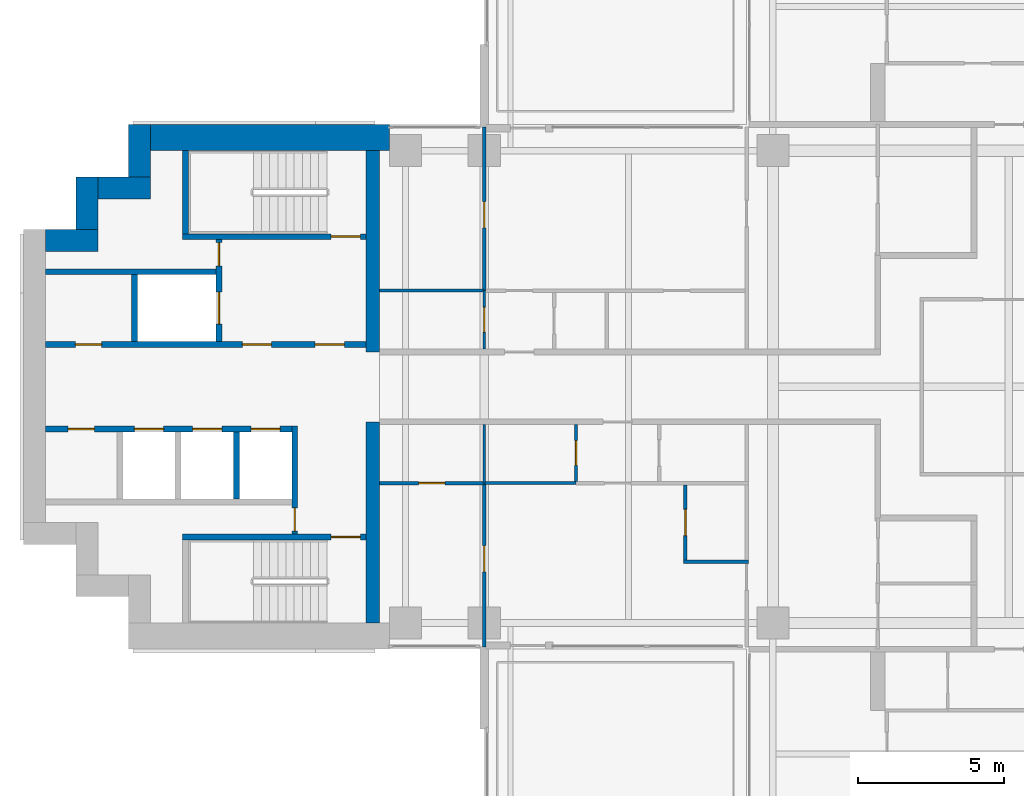
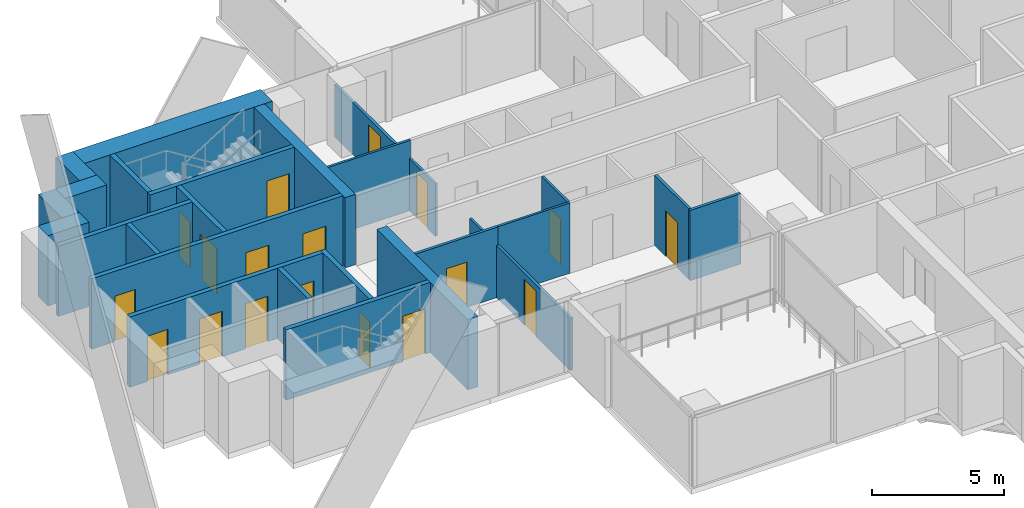
# One storey, part 9 of 19: 27 walls, 18 doors, 18 openings.
"""IFC4 building model written with IfcOpenShell, lengths in metres."""

from ifc_helpers import new_model, si_unit, direction, frame, frame_2d, origin, place, context, subcontext, project, spatial, rectangle, extrude, material, layer, layer_set, type_object, element, fill, save


model = new_model("IFC4")

# Units and contexts
model_context = context("Model", 3, precision=1e-05, world=origin(), true_north=direction((0.0, 1.0)))
body_context = subcontext(model_context, "Body", "Model", "MODEL_VIEW")
ifc_project = project(units=[si_unit("LENGTHUNIT", "METRE"), si_unit("AREAUNIT", "SQUARE_METRE"), si_unit("VOLUMEUNIT", "CUBIC_METRE"), si_unit("PLANEANGLEUNIT", "RADIAN"), si_unit("MASSUNIT", "GRAM", prefix="KILO")], contexts=[model_context])

# Site, building, storey
site_placement = place(None, origin())
site = spatial("IfcSite", under=ifc_project, at=site_placement, CompositionType="ELEMENT")
building_placement = place(site_placement, origin())
building = spatial("IfcBuilding", under=site, at=building_placement, Name="Perihelion Cross Residences", CompositionType="ELEMENT")
storey_placement = place(building_placement, frame((0.0, 0.0, 116.39990234375)))
storey = spatial("IfcBuildingStorey", under=building, at=storey_placement, Name="L27", CompositionType="ELEMENT", Elevation=116.39990234375)

# Walls
ifc_material_1 = material(Name="Concrete C60/75", Category="concrete")
ifc_layer_1 = layer(ifc_material_1, 0.449951171875)
ifc_layer_set_1 = layer_set([ifc_layer_1], Name="Core wall, inner 450")
wall_type_1 = type_object("IfcWallType", Name="Core wall, inner 450", PredefinedType="SHEAR", material=ifc_layer_set_1)
for number, where, z_axis, x_axis, name in (
    (1, (-21.824951171875, -8.10009765625, 0.0), (0.0, 0.0, 1.0), (0.0, 1.0, 0.0), "West core core wall, inner"),
    (2, (-21.824951171875, 1.199951171875, 0.0), (0.0, 0.0, 1.0), (0.0, 1.0, 0.0), "West core core wall, inner"),
):
    element("IfcWall", number, at=place(storey_placement, frame(where, z_axis=z_axis, x_axis=x_axis)), inside=storey, type_object=wall_type_1, Name=name, PredefinedType="SHEAR", context=body_context, shape_type="SweptSolid", body=[
        extrude(rectangle(XDim=6.900146484375, YDim=0.449951171875, at=frame_2d((3.4501953125, 0.0))), origin(), (0.0, 0.0, 1.0), 3.25),
    ])
ifc_material_2 = material(Name="Concrete C60/75", Category="concrete")
ifc_layer_2 = layer(ifc_material_2, 0.75)
ifc_layer_set_2 = layer_set([ifc_layer_2], Name="Core wall, outer 750")
wall_type_2 = type_object("IfcWallType", Name="Core wall, outer 750", PredefinedType="SHEAR", material=ifc_layer_set_2)
for number, where, z_axis, x_axis, name in (
    (3, (-33.050048828125, 5.02490234375, 0.0), (0.0, 0.0, 1.0), (1.0, 0.0, 0.0), "West core core wall, outer"),
    (4, (-31.625, 5.39990234375, 0.0), (0.0, 0.0, 1.0), (0.0, 1.0, 0.0), "West core core wall, outer"),
    (5, (-31.25, 6.824951171875, 0.0), (0.0, 0.0, 1.0), (1.0, 0.0, 0.0), "West core core wall, outer"),
    (6, (-29.824951171875, 7.199951171875, 0.0), (0.0, 0.0, 1.0), (0.0, 1.0, 0.0), "West core core wall, outer"),
):
    element("IfcWall", number, at=place(storey_placement, frame(where, z_axis=z_axis, x_axis=x_axis)), inside=storey, type_object=wall_type_2, Name=name, PredefinedType="SHEAR", context=body_context, shape_type="SweptSolid", body=[
        extrude(rectangle(XDim=1.800048828125, YDim=0.75, at=frame_2d((0.89990234375, 0.0))), origin(), (0.0, 0.0, 1.0), 3.25),
    ])
ifc_material_3 = material(Name="Concrete C60/75", Category="concrete")
ifc_layer_3 = layer(ifc_material_3, 0.89990234375)
ifc_layer_set_3 = layer_set([ifc_layer_3], Name="Core wall, outer 900")
wall_type_3 = type_object("IfcWallType", Name="Core wall, outer 900", PredefinedType="SHEAR", material=ifc_layer_set_3)
wall_1_placement = place(storey_placement, frame((-29.449951171875, 8.550048828125, 0.0), z_axis=(0.0, 0.0, 1.0), x_axis=(1.0, 0.0, 0.0)))
element("IfcWall", 7, at=wall_1_placement, inside=storey, type_object=wall_type_3, Name="West core core wall, outer", PredefinedType="SHEAR", context=body_context, shape_type="SweptSolid", body=[
    extrude(rectangle(XDim=8.199951171875, YDim=0.89990234375, at=frame_2d((4.10009765625, 0.0))), origin(), (0.0, 0.0, 1.0), 3.25),
])

# Wall, opening, door
ifc_material_4 = material(Name="Concrete C50/60", Category="concrete")
ifc_layer_4 = layer(ifc_material_4, 0.199951171875)
ifc_layer_set_4 = layer_set([ifc_layer_4], Name="Lobby wall 200")
wall_type_4 = type_object("IfcWallType", Name="Lobby wall 200", PredefinedType="SOLIDWALL", material=ifc_layer_set_4)
wall_2_placement = place(storey_placement, frame((-24.5, -5.050048828125, 0.0), z_axis=(0.0, 0.0, 1.0), x_axis=(0.0, 1.0, 0.0)))
wall_2 = element("IfcWall", 8, at=wall_2_placement, inside=storey, type_object=wall_type_4, Name="West core lobby wall", PredefinedType="SOLIDWALL", context=body_context, shape_type="SweptSolid", body=[
    extrude(rectangle(XDim=3.699951171875, YDim=0.199951171875, at=frame_2d((1.85009765625, 0.0))), origin(), (0.0, 0.0, 1.0), 3.25),
])
opening_1_placement = place(wall_2_placement, frame((0.10009765625, 0.0, 0.0)))
opening_1 = element("IfcOpeningElement", 9, at=opening_1_placement, cuts=wall_2, Name="Opening L27.C20", PredefinedType="OPENING", context=body_context, shape_type="SweptSolid", body=[
    extrude(rectangle(XDim=0.800048828125, YDim=2.10009765625, at=frame_2d((0.39990234375, 1.050048828125))), frame((0.0, 0.10986328125, 0.0), z_axis=(0.0, -1.0, 0.0), x_axis=(1.0, 0.0, 0.0)), (0.0, 0.0, 1.0), 0.219970703125),
])
ifc_material_5 = material(Name="Steel, powder coated", Category="steel")
door_type_1 = type_object("IfcDoorType", Name="Riser door 800", OperationType="SINGLE_SWING_LEFT", PredefinedType="DOOR", material=ifc_material_5)
door_1_placement = place(opening_1_placement, origin())
door_1 = element("IfcDoor", 10, at=door_1_placement, inside=storey, type_object=door_type_1, Name="West core riser door", OperationType="SINGLE_SWING_LEFT", OverallHeight=2.10009765625, OverallWidth=0.800048828125, PredefinedType="DOOR", context=body_context, shape_type="SweptSolid", body=[
    extrude(rectangle(XDim=0.800048828125, YDim=2.10009765625, at=frame_2d((0.39990234375, 1.050048828125))), frame((0.0, 0.02490234375, 0.0), z_axis=(0.0, -1.0, 0.0), x_axis=(1.0, 0.0, 0.0)), (0.0, 0.0, 1.0), 0.050048828125),
])
fill(opening_1, door_1)

ifc_material_6 = material(Name="Plasterboard partition")
ifc_layer_5 = layer(ifc_material_6, 0.1201171875)
ifc_layer_set_5 = layer_set([ifc_layer_5], Name="Partition wall 120")
wall_type_5 = type_object("IfcWallType", Name="Partition wall 120", PredefinedType="PARTITIONING", material=ifc_layer_set_5)
wall_3_placement = place(storey_placement, frame((-18.0, 3.300048828125, 0.0), z_axis=(0.0, 0.0, 1.0), x_axis=(0.0, 1.0, 0.0)))
wall_3 = element("IfcWall", 11, at=wall_3_placement, inside=storey, type_object=wall_type_5, Name="Partition L27 W051", PredefinedType="PARTITIONING", context=body_context, shape_type="SweptSolid", body=[
    extrude(rectangle(XDim=5.619873046875, YDim=0.1201171875, at=frame_2d((2.81005859375, 0.0))), origin(), (0.0, 0.0, 1.0), 2.4140625),
])
opening_2_placement = place(wall_3_placement, frame((2.14990234375, 0.0, 0.0)))
opening_2 = element("IfcOpeningElement", 12, at=opening_2_placement, cuts=wall_3, Name="Opening L27.A24", PredefinedType="OPENING", context=body_context, shape_type="SweptSolid", body=[
    extrude(rectangle(XDim=0.89990234375, YDim=2.10009765625, at=frame_2d((0.449951171875, 1.050048828125))), frame((0.0, 0.070068359375, 0.0), z_axis=(0.0, -1.0, 0.0), x_axis=(1.0, 0.0, 0.0)), (0.0, 0.0, 1.0), 0.14013671875),
])
ifc_material_7 = material(Name="Timber door leaf", Category="wood")
door_type_2 = type_object("IfcDoorType", Name="Interior room door 900 x 2100", OperationType="SINGLE_SWING_LEFT", PredefinedType="DOOR", material=ifc_material_7)
door_2_placement = place(opening_2_placement, origin())
door_2 = element("IfcDoor", 13, at=door_2_placement, inside=storey, type_object=door_type_2, Name="Door L27.A24", OperationType="SINGLE_SWING_LEFT", OverallHeight=2.10009765625, OverallWidth=0.89990234375, PredefinedType="DOOR", context=body_context, shape_type="SweptSolid", body=[
    extrude(rectangle(XDim=0.89990234375, YDim=2.10009765625, at=frame_2d((0.449951171875, 1.050048828125))), frame((0.0, 0.02490234375, 0.0), z_axis=(0.0, -1.0, 0.0), x_axis=(1.0, 0.0, 0.0)), (0.0, 0.0, 1.0), 0.050048828125),
])
fill(opening_2, door_2)

wall_4_placement = place(storey_placement, frame((-18.0, -3.300048828125, 0.0), z_axis=(0.0, 0.0, 1.0), x_axis=(-1.0, 0.0, 0.0)))
wall_4 = element("IfcWall", 14, at=wall_4_placement, inside=storey, type_object=wall_type_5, Name="Partition L27 W059", PredefinedType="PARTITIONING", context=body_context, shape_type="SweptSolid", body=[
    extrude(rectangle(XDim=3.60009765625, YDim=0.1201171875, at=frame_2d((1.800048828125, 0.0))), origin(), (0.0, 0.0, 1.0), 3.25),
])
opening_3_placement = place(wall_4_placement, frame((1.35009765625, 0.0, 0.0)))
opening_3 = element("IfcOpeningElement", 15, at=opening_3_placement, cuts=wall_4, Name="Opening L27.A33", PredefinedType="OPENING", context=body_context, shape_type="SweptSolid", body=[
    extrude(rectangle(XDim=0.89990234375, YDim=2.10009765625, at=frame_2d((0.449951171875, 1.050048828125))), frame((0.0, 0.070068359375, 0.0), z_axis=(0.0, -1.0, 0.0), x_axis=(1.0, 0.0, 0.0)), (0.0, 0.0, 1.0), 0.14013671875),
])
door_3_placement = place(opening_3_placement, origin())
door_3 = element("IfcDoor", 16, at=door_3_placement, inside=storey, type_object=door_type_2, Name="Door L27.A33", OperationType="SINGLE_SWING_LEFT", OverallHeight=2.10009765625, OverallWidth=0.89990234375, PredefinedType="DOOR", context=body_context, shape_type="SweptSolid", body=[
    extrude(rectangle(XDim=0.89990234375, YDim=2.10009765625, at=frame_2d((0.449951171875, 1.050048828125))), frame((0.0, 0.02490234375, 0.0), z_axis=(0.0, -1.0, 0.0), x_axis=(1.0, 0.0, 0.0)), (0.0, 0.0, 1.0), 0.050048828125),
])
fill(opening_3, door_3)

wall_5_placement = place(storey_placement, frame((-11.10009765625, -3.360107421875, 0.0), z_axis=(0.0, 0.0, 1.0), x_axis=(0.0, -1.0, 0.0)))
wall_5 = element("IfcWall", 17, at=wall_5_placement, inside=storey, type_object=wall_type_5, Name="Partition L27 W060", PredefinedType="PARTITIONING", context=body_context, shape_type="SweptSolid", body=[
    extrude(rectangle(XDim=2.579833984375, YDim=0.1201171875, at=frame_2d((1.2900390625, 0.0))), origin(), (0.0, 0.0, 1.0), 3.25),
])
opening_4_placement = place(wall_5_placement, frame((0.840087890625, 0.0, 0.0)))
opening_4 = element("IfcOpeningElement", 18, at=opening_4_placement, cuts=wall_5, Name="Opening L27.A30", PredefinedType="OPENING", context=body_context, shape_type="SweptSolid", body=[
    extrude(rectangle(XDim=0.89990234375, YDim=2.10009765625, at=frame_2d((0.449951171875, 1.050048828125))), frame((0.0, 0.070068359375, 0.0), z_axis=(0.0, -1.0, 0.0), x_axis=(1.0, 0.0, 0.0)), (0.0, 0.0, 1.0), 0.14013671875),
])
door_4_placement = place(opening_4_placement, origin())
door_4 = element("IfcDoor", 19, at=door_4_placement, inside=storey, type_object=door_type_2, Name="Door L27.A30", OperationType="SINGLE_SWING_RIGHT", OverallHeight=2.10009765625, OverallWidth=0.89990234375, PredefinedType="DOOR", context=body_context, shape_type="SweptSolid", body=[
    extrude(rectangle(XDim=0.89990234375, YDim=2.10009765625, at=frame_2d((0.449951171875, 1.050048828125))), frame((0.0, 0.02490234375, 0.0), z_axis=(0.0, -1.0, 0.0), x_axis=(1.0, 0.0, 0.0)), (0.0, 0.0, 1.0), 0.050048828125),
])
fill(opening_4, door_4)

# Wall
wall_6_placement = place(storey_placement, frame((-11.159912109375, -6.0, 0.0), z_axis=(0.0, 0.0, 1.0), x_axis=(1.0, 0.0, 0.0)))
element("IfcWall", 20, at=wall_6_placement, inside=storey, type_object=wall_type_5, Name="Partition L27 W061", PredefinedType="PARTITIONING", context=body_context, shape_type="SweptSolid", body=[
    extrude(rectangle(XDim=2.219970703125, YDim=0.1201171875, at=frame_2d((1.10986328125, 0.0))), origin(), (0.0, 0.0, 1.0), 3.25),
])

# Wall, opening, door
wall_7_placement = place(storey_placement, frame((-18.0, -8.919921875, 0.0), z_axis=(0.0, 0.0, 1.0), x_axis=(0.0, 1.0, 0.0)))
wall_7 = element("IfcWall", 21, at=wall_7_placement, inside=storey, type_object=wall_type_5, Name="Partition L27 W062", PredefinedType="PARTITIONING", context=body_context, shape_type="SweptSolid", body=[
    extrude(rectangle(XDim=5.619873046875, YDim=0.1201171875, at=frame_2d((2.81005859375, 0.0))), origin(), (0.0, 0.0, 1.0), 2.4140625),
])
opening_5_placement = place(wall_7_placement, frame((2.570068359375, 0.0, 0.0)))
opening_5 = element("IfcOpeningElement", 22, at=opening_5_placement, cuts=wall_7, Name="Opening L27.A32", PredefinedType="OPENING", context=body_context, shape_type="SweptSolid", body=[
    extrude(rectangle(XDim=0.89990234375, YDim=2.10009765625, at=frame_2d((0.449951171875, 1.050048828125))), frame((0.0, 0.070068359375, 0.0), z_axis=(0.0, -1.0, 0.0), x_axis=(1.0, 0.0, 0.0)), (0.0, 0.0, 1.0), 0.14013671875),
])
door_5_placement = place(opening_5_placement, origin())
door_5 = element("IfcDoor", 23, at=door_5_placement, inside=storey, type_object=door_type_2, Name="Door L27.A32", OperationType="SINGLE_SWING_LEFT", OverallHeight=2.10009765625, OverallWidth=0.89990234375, PredefinedType="DOOR", context=body_context, shape_type="SweptSolid", body=[
    extrude(rectangle(XDim=0.89990234375, YDim=2.10009765625, at=frame_2d((0.449951171875, 1.050048828125))), frame((0.0, 0.02490234375, 0.0), z_axis=(0.0, -1.0, 0.0), x_axis=(1.0, 0.0, 0.0)), (0.0, 0.0, 1.0), 0.050048828125),
])
fill(opening_5, door_5)

# Wall, openings, doors
ifc_material_8 = material(Name="Concrete C50/60", Category="concrete")
ifc_layer_6 = layer(ifc_material_8, 0.199951171875)
ifc_layer_set_6 = layer_set([ifc_layer_6], Name="Shaft wall 200")
wall_type_6 = type_object("IfcWallType", Name="Shaft wall 200", PredefinedType="SOLIDWALL", material=ifc_layer_set_6)
wall_8_placement = place(storey_placement, frame((-33.050048828125, 1.449951171875, 0.0), z_axis=(0.0, 0.0, 1.0), x_axis=(1.0, 0.0, 0.0)))
wall_8 = element("IfcWall", 24, at=wall_8_placement, inside=storey, type_object=wall_type_6, Name="West core shaft wall", PredefinedType="SOLIDWALL", context=body_context, shape_type="SweptSolid", body=[
    extrude(rectangle(XDim=11.0, YDim=0.199951171875, at=frame_2d((5.5, 0.0))), origin(), (0.0, 0.0, 1.0), 3.25),
])
opening_6_placement = place(wall_8_placement, frame((9.25, 0.0, 0.0)))
opening_6 = element("IfcOpeningElement", 25, at=opening_6_placement, cuts=wall_8, Name="Opening L27.C19", PredefinedType="OPENING", context=body_context, shape_type="SweptSolid", body=[
    extrude(rectangle(XDim=1.0, YDim=2.10009765625, at=frame_2d((0.5, 1.050048828125))), frame((0.0, 0.10986328125, 0.0), z_axis=(0.0, -1.0, 0.0), x_axis=(1.0, 0.0, 0.0)), (0.0, 0.0, 1.0), 0.219970703125),
])
opening_7_placement = place(wall_8_placement, frame((6.75, 0.0, 0.0)))
opening_7 = element("IfcOpeningElement", 26, at=opening_7_placement, cuts=wall_8, Name="Opening L27.C21", PredefinedType="OPENING", context=body_context, shape_type="SweptSolid", body=[
    extrude(rectangle(XDim=1.0, YDim=2.10009765625, at=frame_2d((0.5, 1.050048828125))), frame((0.0, 0.10986328125, 0.0), z_axis=(0.0, -1.0, 0.0), x_axis=(1.0, 0.0, 0.0)), (0.0, 0.0, 1.0), 0.219970703125),
])
opening_8_placement = place(wall_8_placement, frame((1.02490234375, 0.0, 0.0)))
opening_8 = element("IfcOpeningElement", 27, at=opening_8_placement, cuts=wall_8, Name="Opening L27.C23", PredefinedType="OPENING", context=body_context, shape_type="SweptSolid", body=[
    extrude(rectangle(XDim=0.89990234375, YDim=2.10009765625, at=frame_2d((0.449951171875, 1.050048828125))), frame((0.0, 0.10986328125, 0.0), z_axis=(0.0, -1.0, 0.0), x_axis=(1.0, 0.0, 0.0)), (0.0, 0.0, 1.0), 0.219970703125),
])
ifc_material_9 = material(Name="Steel, powder coated", Category="steel")
door_type_3 = type_object("IfcDoorType", Name="Lobby door 1000", OperationType="SINGLE_SWING_LEFT", PredefinedType="DOOR", material=ifc_material_9)
door_6_placement = place(opening_6_placement, origin())
door_6 = element("IfcDoor", 28, at=door_6_placement, inside=storey, type_object=door_type_3, Name="West core firefighting lobby door", OperationType="SINGLE_SWING_LEFT", OverallHeight=2.10009765625, OverallWidth=1.0, PredefinedType="DOOR", context=body_context, shape_type="SweptSolid", body=[
    extrude(rectangle(XDim=1.0, YDim=2.10009765625, at=frame_2d((0.5, 1.050048828125))), frame((0.0, 0.02490234375, 0.0), z_axis=(0.0, -1.0, 0.0), x_axis=(1.0, 0.0, 0.0)), (0.0, 0.0, 1.0), 0.050048828125),
])
fill(opening_6, door_6)
door_7_placement = place(opening_7_placement, origin())
door_7 = element("IfcDoor", 29, at=door_7_placement, inside=storey, type_object=door_type_3, Name="West core firefighting lobby door", OperationType="SINGLE_SWING_LEFT", OverallHeight=2.10009765625, OverallWidth=1.0, PredefinedType="DOOR", context=body_context, shape_type="SweptSolid", body=[
    extrude(rectangle(XDim=1.0, YDim=2.10009765625, at=frame_2d((0.5, 1.050048828125))), frame((0.0, 0.02490234375, 0.0), z_axis=(0.0, -1.0, 0.0), x_axis=(1.0, 0.0, 0.0)), (0.0, 0.0, 1.0), 0.050048828125),
])
fill(opening_7, door_7)
ifc_material_10 = material(Name="Steel, powder coated", Category="steel")
door_type_4 = type_object("IfcDoorType", Name="Service room door 900", OperationType="SINGLE_SWING_LEFT", PredefinedType="DOOR", material=ifc_material_10)
door_8_placement = place(opening_8_placement, origin())
door_8 = element("IfcDoor", 30, at=door_8_placement, inside=storey, type_object=door_type_4, Name="West core service room door", OperationType="SINGLE_SWING_LEFT", OverallHeight=2.10009765625, OverallWidth=0.89990234375, PredefinedType="DOOR", context=body_context, shape_type="SweptSolid", body=[
    extrude(rectangle(XDim=0.89990234375, YDim=2.10009765625, at=frame_2d((0.449951171875, 1.050048828125))), frame((0.0, 0.02490234375, 0.0), z_axis=(0.0, -1.0, 0.0), x_axis=(1.0, 0.0, 0.0)), (0.0, 0.0, 1.0), 0.050048828125),
])
fill(opening_8, door_8)

wall_9_placement = place(storey_placement, frame((-33.050048828125, -1.449951171875, 0.0), z_axis=(0.0, 0.0, 1.0), x_axis=(1.0, 0.0, 0.0)))
wall_9 = element("IfcWall", 31, at=wall_9_placement, inside=storey, type_object=wall_type_6, Name="West core shaft wall", PredefinedType="SOLIDWALL", context=body_context, shape_type="SweptSolid", body=[
    extrude(rectangle(XDim=8.449951171875, YDim=0.199951171875, at=frame_2d((4.22509765625, 0.0))), origin(), (0.0, 0.0, 1.0), 3.25),
])
opening_9_placement = place(wall_9_placement, frame((7.050048828125, 0.0, 0.0)))
opening_9 = element("IfcOpeningElement", 32, at=opening_9_placement, cuts=wall_9, Name="Opening L27.C13", PredefinedType="OPENING", context=body_context, shape_type="SweptSolid", body=[
    extrude(rectangle(XDim=1.0, YDim=2.10009765625, at=frame_2d((0.5, 1.050048828125))), frame((0.0, 0.10986328125, 0.0), z_axis=(0.0, -1.0, 0.0), x_axis=(1.0, 0.0, 0.0)), (0.0, 0.0, 1.0), 0.219970703125),
])
opening_10_placement = place(wall_9_placement, frame((5.050048828125, 0.0, 0.0)))
opening_10 = element("IfcOpeningElement", 33, at=opening_10_placement, cuts=wall_9, Name="Opening L27.C15", PredefinedType="OPENING", context=body_context, shape_type="SweptSolid", body=[
    extrude(rectangle(XDim=1.0, YDim=2.10009765625, at=frame_2d((0.5, 1.050048828125))), frame((0.0, 0.10986328125, 0.0), z_axis=(0.0, -1.0, 0.0), x_axis=(1.0, 0.0, 0.0)), (0.0, 0.0, 1.0), 0.219970703125),
])
opening_11_placement = place(wall_9_placement, frame((3.050048828125, 0.0, 0.0)))
opening_11 = element("IfcOpeningElement", 34, at=opening_11_placement, cuts=wall_9, Name="Opening L27.C16", PredefinedType="OPENING", context=body_context, shape_type="SweptSolid", body=[
    extrude(rectangle(XDim=1.0, YDim=2.10009765625, at=frame_2d((0.5, 1.050048828125))), frame((0.0, 0.10986328125, 0.0), z_axis=(0.0, -1.0, 0.0), x_axis=(1.0, 0.0, 0.0)), (0.0, 0.0, 1.0), 0.219970703125),
])
opening_12_placement = place(wall_9_placement, frame((0.77490234375, 0.0, 0.0)))
opening_12 = element("IfcOpeningElement", 35, at=opening_12_placement, cuts=wall_9, Name="Opening L27.C24", PredefinedType="OPENING", context=body_context, shape_type="SweptSolid", body=[
    extrude(rectangle(XDim=0.89990234375, YDim=2.10009765625, at=frame_2d((0.449951171875, 1.050048828125))), frame((0.0, 0.10986328125, 0.0), z_axis=(0.0, -1.0, 0.0), x_axis=(1.0, 0.0, 0.0)), (0.0, 0.0, 1.0), 0.219970703125),
])
ifc_material_11 = material(Name="Stainless steel", Category="steel")
door_type_5 = type_object("IfcDoorType", Name="Landing door 1000", OperationType="DOUBLE_DOOR_SLIDING", PredefinedType="DOOR", material=ifc_material_11)
door_9_placement = place(opening_9_placement, origin())
door_9 = element("IfcDoor", 36, at=door_9_placement, inside=storey, type_object=door_type_5, Name="Landing door, West core high-rise lift 1", OperationType="DOUBLE_DOOR_SLIDING", OverallHeight=2.10009765625, OverallWidth=1.0, PredefinedType="DOOR", context=body_context, shape_type="SweptSolid", body=[
    extrude(rectangle(XDim=1.0, YDim=2.10009765625, at=frame_2d((0.5, 1.050048828125))), frame((0.0, 0.02490234375, 0.0), z_axis=(0.0, -1.0, 0.0), x_axis=(1.0, 0.0, 0.0)), (0.0, 0.0, 1.0), 0.050048828125),
])
fill(opening_9, door_9)
door_10_placement = place(opening_10_placement, origin())
door_10 = element("IfcDoor", 37, at=door_10_placement, inside=storey, type_object=door_type_5, Name="Landing door, West core high-rise lift 2", OperationType="DOUBLE_DOOR_SLIDING", OverallHeight=2.10009765625, OverallWidth=1.0, PredefinedType="DOOR", context=body_context, shape_type="SweptSolid", body=[
    extrude(rectangle(XDim=1.0, YDim=2.10009765625, at=frame_2d((0.5, 1.050048828125))), frame((0.0, 0.02490234375, 0.0), z_axis=(0.0, -1.0, 0.0), x_axis=(1.0, 0.0, 0.0)), (0.0, 0.0, 1.0), 0.050048828125),
])
fill(opening_10, door_10)
door_11_placement = place(opening_11_placement, origin())
door_11 = element("IfcDoor", 38, at=door_11_placement, inside=storey, type_object=door_type_5, Name="Landing door, West core high-rise lift 3", OperationType="DOUBLE_DOOR_SLIDING", OverallHeight=2.10009765625, OverallWidth=1.0, PredefinedType="DOOR", context=body_context, shape_type="SweptSolid", body=[
    extrude(rectangle(XDim=1.0, YDim=2.10009765625, at=frame_2d((0.5, 1.050048828125))), frame((0.0, 0.02490234375, 0.0), z_axis=(0.0, -1.0, 0.0), x_axis=(1.0, 0.0, 0.0)), (0.0, 0.0, 1.0), 0.050048828125),
])
fill(opening_11, door_11)
door_12_placement = place(opening_12_placement, origin())
door_12 = element("IfcDoor", 39, at=door_12_placement, inside=storey, type_object=door_type_4, Name="West core service room door", OperationType="SINGLE_SWING_LEFT", OverallHeight=2.10009765625, OverallWidth=0.89990234375, PredefinedType="DOOR", context=body_context, shape_type="SweptSolid", body=[
    extrude(rectangle(XDim=0.89990234375, YDim=2.10009765625, at=frame_2d((0.449951171875, 1.050048828125))), frame((0.0, 0.02490234375, 0.0), z_axis=(0.0, -1.0, 0.0), x_axis=(1.0, 0.0, 0.0)), (0.0, 0.0, 1.0), 0.050048828125),
])
fill(opening_12, door_12)

# Wall
wall_10_placement = place(storey_placement, frame((-33.050048828125, 3.949951171875, 0.0), z_axis=(0.0, 0.0, 1.0), x_axis=(1.0, 0.0, 0.0)))
element("IfcWall", 40, at=wall_10_placement, inside=storey, type_object=wall_type_6, Name="West core shaft wall", PredefinedType="SOLIDWALL", context=body_context, shape_type="SweptSolid", body=[
    extrude(rectangle(XDim=5.85009765625, YDim=0.199951171875, at=frame_2d((2.925048828125, 0.0))), origin(), (0.0, 0.0, 1.0), 3.25),
])

# Wall, openings, doors
wall_11_placement = place(storey_placement, frame((-27.10009765625, 1.550048828125, 0.0), z_axis=(0.0, 0.0, 1.0), x_axis=(0.0, 1.0, 0.0)))
wall_11 = element("IfcWall", 41, at=wall_11_placement, inside=storey, type_object=wall_type_6, Name="West core shaft wall", PredefinedType="SOLIDWALL", context=body_context, shape_type="SweptSolid", body=[
    extrude(rectangle(XDim=3.5, YDim=0.199951171875, at=frame_2d((1.75, 0.0))), origin(), (0.0, 0.0, 1.0), 3.25),
])
opening_13_placement = place(wall_11_placement, frame((0.60009765625, 0.0, 0.0)))
opening_13 = element("IfcOpeningElement", 42, at=opening_13_placement, cuts=wall_11, Name="Opening L27.C14", PredefinedType="OPENING", context=body_context, shape_type="SweptSolid", body=[
    extrude(rectangle(XDim=1.10009765625, YDim=2.10009765625, at=frame_2d((0.550048828125, 1.050048828125))), frame((0.0, 0.10986328125, 0.0), z_axis=(0.0, -1.0, 0.0), x_axis=(1.0, 0.0, 0.0)), (0.0, 0.0, 1.0), 0.219970703125),
])
opening_14_placement = place(wall_11_placement, frame((2.60009765625, 0.0, 0.0)))
opening_14 = element("IfcOpeningElement", 43, at=opening_14_placement, cuts=wall_11, Name="Opening L27.C22", PredefinedType="OPENING", context=body_context, shape_type="SweptSolid", body=[
    extrude(rectangle(XDim=0.800048828125, YDim=2.10009765625, at=frame_2d((0.39990234375, 1.050048828125))), frame((0.0, 0.10986328125, 0.0), z_axis=(0.0, -1.0, 0.0), x_axis=(1.0, 0.0, 0.0)), (0.0, 0.0, 1.0), 0.219970703125),
])
ifc_material_12 = material(Name="Stainless steel", Category="steel")
door_type_6 = type_object("IfcDoorType", Name="Landing door, firefighting lift 1100", OperationType="DOUBLE_DOOR_SLIDING", PredefinedType="DOOR", material=ifc_material_12)
door_13_placement = place(opening_13_placement, origin())
door_13 = element("IfcDoor", 44, at=door_13_placement, inside=storey, type_object=door_type_6, Name="Landing door, West core firefighting and service lift", OperationType="DOUBLE_DOOR_SLIDING", OverallHeight=2.10009765625, OverallWidth=1.10009765625, PredefinedType="DOOR", context=body_context, shape_type="SweptSolid", body=[
    extrude(rectangle(XDim=1.10009765625, YDim=2.10009765625, at=frame_2d((0.550048828125, 1.050048828125))), frame((0.0, 0.02490234375, 0.0), z_axis=(0.0, -1.0, 0.0), x_axis=(1.0, 0.0, 0.0)), (0.0, 0.0, 1.0), 0.050048828125),
])
fill(opening_13, door_13)
door_14_placement = place(opening_14_placement, origin())
door_14 = element("IfcDoor", 45, at=door_14_placement, inside=storey, type_object=door_type_1, Name="West core riser door", OperationType="SINGLE_SWING_LEFT", OverallHeight=2.10009765625, OverallWidth=0.800048828125, PredefinedType="DOOR", context=body_context, shape_type="SweptSolid", body=[
    extrude(rectangle(XDim=0.800048828125, YDim=2.10009765625, at=frame_2d((0.39990234375, 1.050048828125))), frame((0.0, 0.02490234375, 0.0), z_axis=(0.0, -1.0, 0.0), x_axis=(1.0, 0.0, 0.0)), (0.0, 0.0, 1.0), 0.050048828125),
])
fill(opening_14, door_14)

# Walls
for number, where, z_axis, x_axis, name in (
    (46, (-30.0, 1.550048828125, 0.0), (0.0, 0.0, 1.0), (0.0, 1.0, 0.0), "West core shaft wall"),
    (47, (-26.5, -3.85009765625, 0.0), (0.0, 0.0, 1.0), (0.0, 1.0, 0.0), "West core shaft wall"),
):
    element("IfcWall", number, at=place(storey_placement, frame(where, z_axis=z_axis, x_axis=x_axis)), inside=storey, type_object=wall_type_6, Name=name, PredefinedType="SOLIDWALL", context=body_context, shape_type="SweptSolid", body=[
        extrude(rectangle(XDim=2.300048828125, YDim=0.199951171875, at=frame_2d((1.14990234375, 0.0))), origin(), (0.0, 0.0, 1.0), 3.25),
    ])

# Wall, opening, door
ifc_material_13 = material(Name="Concrete C50/60", Category="concrete")
ifc_layer_7 = layer(ifc_material_13, 0.199951171875)
ifc_layer_set_7 = layer_set([ifc_layer_7], Name="Stair wall 200")
wall_type_7 = type_object("IfcWallType", Name="Stair wall 200", PredefinedType="SOLIDWALL", material=ifc_layer_set_7)
wall_12_placement = place(storey_placement, frame((-28.35009765625, 5.14990234375, 0.0), z_axis=(0.0, 0.0, 1.0), x_axis=(1.0, 0.0, 0.0)))
wall_12 = element("IfcWall", 48, at=wall_12_placement, inside=storey, type_object=wall_type_7, Name="West core stair wall", PredefinedType="SOLIDWALL", context=body_context, shape_type="SweptSolid", body=[
    extrude(rectangle(XDim=6.300048828125, YDim=0.199951171875, at=frame_2d((3.14990234375, 0.0))), origin(), (0.0, 0.0, 1.0), 3.25),
])
opening_15_placement = place(wall_12_placement, frame((5.10009765625, 0.0, 0.0)))
opening_15 = element("IfcOpeningElement", 49, at=opening_15_placement, cuts=wall_12, Name="Opening L27.C18", PredefinedType="OPENING", context=body_context, shape_type="SweptSolid", body=[
    extrude(rectangle(XDim=1.0, YDim=2.10009765625, at=frame_2d((0.5, 1.050048828125))), frame((0.0, 0.10986328125, 0.0), z_axis=(0.0, -1.0, 0.0), x_axis=(1.0, 0.0, 0.0)), (0.0, 0.0, 1.0), 0.219970703125),
])
ifc_material_14 = material(Name="Steel, powder coated", Category="steel")
door_type_7 = type_object("IfcDoorType", Name="Stair door 1000", OperationType="SINGLE_SWING_LEFT", PredefinedType="DOOR", material=ifc_material_14)
door_15_placement = place(opening_15_placement, origin())
door_15 = element("IfcDoor", 50, at=door_15_placement, inside=storey, type_object=door_type_7, Name="West core stair door", OperationType="SINGLE_SWING_LEFT", OverallHeight=2.10009765625, OverallWidth=1.0, PredefinedType="DOOR", context=body_context, shape_type="SweptSolid", body=[
    extrude(rectangle(XDim=1.0, YDim=2.10009765625, at=frame_2d((0.5, 1.050048828125))), frame((0.0, 0.02490234375, 0.0), z_axis=(0.0, -1.0, 0.0), x_axis=(1.0, 0.0, 0.0)), (0.0, 0.0, 1.0), 0.050048828125),
])
fill(opening_15, door_15)

wall_13_placement = place(storey_placement, frame((-28.35009765625, -5.14990234375, 0.0), z_axis=(0.0, 0.0, 1.0), x_axis=(1.0, 0.0, 0.0)))
wall_13 = element("IfcWall", 51, at=wall_13_placement, inside=storey, type_object=wall_type_7, Name="West core stair wall", PredefinedType="SOLIDWALL", context=body_context, shape_type="SweptSolid", body=[
    extrude(rectangle(XDim=6.300048828125, YDim=0.199951171875, at=frame_2d((3.14990234375, 0.0))), origin(), (0.0, 0.0, 1.0), 3.25),
])
opening_16_placement = place(wall_13_placement, frame((5.10009765625, 0.0, 0.0)))
opening_16 = element("IfcOpeningElement", 52, at=opening_16_placement, cuts=wall_13, Name="Opening L27.C17", PredefinedType="OPENING", context=body_context, shape_type="SweptSolid", body=[
    extrude(rectangle(XDim=1.0, YDim=2.10009765625, at=frame_2d((0.5, 1.050048828125))), frame((0.0, 0.10986328125, 0.0), z_axis=(0.0, -1.0, 0.0), x_axis=(1.0, 0.0, 0.0)), (0.0, 0.0, 1.0), 0.219970703125),
])
door_16_placement = place(opening_16_placement, origin())
door_16 = element("IfcDoor", 53, at=door_16_placement, inside=storey, type_object=door_type_7, Name="West core stair door", OperationType="SINGLE_SWING_LEFT", OverallHeight=2.10009765625, OverallWidth=1.0, PredefinedType="DOOR", context=body_context, shape_type="SweptSolid", body=[
    extrude(rectangle(XDim=1.0, YDim=2.10009765625, at=frame_2d((0.5, 1.050048828125))), frame((0.0, 0.02490234375, 0.0), z_axis=(0.0, -1.0, 0.0), x_axis=(1.0, 0.0, 0.0)), (0.0, 0.0, 1.0), 0.050048828125),
])
fill(opening_16, door_16)

# Wall
wall_14_placement = place(storey_placement, frame((-28.25, 5.25, 0.0), z_axis=(0.0, 0.0, 1.0), x_axis=(0.0, 1.0, 0.0)))
element("IfcWall", 54, at=wall_14_placement, inside=storey, type_object=wall_type_7, Name="West core stair wall", PredefinedType="SOLIDWALL", context=body_context, shape_type="SweptSolid", body=[
    extrude(rectangle(XDim=2.85009765625, YDim=0.199951171875, at=frame_2d((1.425048828125, 0.0))), origin(), (0.0, 0.0, 1.0), 3.25),
])

# Wall, opening, door
ifc_material_15 = material(Name="Plasterboard partition")
ifc_layer_8 = layer(ifc_material_15, 0.10009765625)
ifc_layer_set_8 = layer_set([ifc_layer_8], Name="Wet room wall 100")
wall_type_8 = type_object("IfcWallType", Name="Wet room wall 100", PredefinedType="PARTITIONING", material=ifc_layer_set_8)
wall_15_placement = place(storey_placement, frame((-18.0, 1.300048828125, 0.0), z_axis=(0.0, 0.0, 1.0), x_axis=(0.0, 1.0, 0.0)))
wall_15 = element("IfcWall", 55, at=wall_15_placement, inside=storey, type_object=wall_type_8, Name="Partition L27 W049", PredefinedType="PARTITIONING", context=body_context, shape_type="SweptSolid", body=[
    extrude(rectangle(XDim=2.0, YDim=0.10009765625, at=frame_2d((1.0, 0.0))), origin(), (0.0, 0.0, 1.0), 2.4140625),
])
opening_17_placement = place(wall_15_placement, frame((0.574951171875, 0.0, 0.0)))
opening_17 = element("IfcOpeningElement", 56, at=opening_17_placement, cuts=wall_15, Name="Opening L27.A19", PredefinedType="OPENING", context=body_context, shape_type="SweptSolid", body=[
    extrude(rectangle(XDim=0.85009765625, YDim=2.10009765625, at=frame_2d((0.425048828125, 1.050048828125))), frame((0.0, 0.06005859375, 0.0), z_axis=(0.0, -1.0, 0.0), x_axis=(1.0, 0.0, 0.0)), (0.0, 0.0, 1.0), 0.1201171875),
])
ifc_material_16 = material(Name="Timber door leaf", Category="wood")
door_type_8 = type_object("IfcDoorType", Name="Interior bathroom door 850 x 2100", OperationType="SINGLE_SWING_LEFT", PredefinedType="DOOR", material=ifc_material_16)
door_17_placement = place(opening_17_placement, origin())
door_17 = element("IfcDoor", 57, at=door_17_placement, inside=storey, type_object=door_type_8, Name="Door L27.A19", OperationType="SINGLE_SWING_RIGHT", OverallHeight=2.10009765625, OverallWidth=0.85009765625, PredefinedType="DOOR", context=body_context, shape_type="SweptSolid", body=[
    extrude(rectangle(XDim=0.85009765625, YDim=2.10009765625, at=frame_2d((0.425048828125, 1.050048828125))), frame((0.0, 0.02490234375, 0.0), z_axis=(0.0, -1.0, 0.0), x_axis=(1.0, 0.0, 0.0)), (0.0, 0.0, 1.0), 0.050048828125),
])
fill(opening_17, door_17)

# Wall
wall_16_placement = place(storey_placement, frame((-21.60009765625, 3.300048828125, 0.0), z_axis=(0.0, 0.0, 1.0), x_axis=(1.0, 0.0, 0.0)))
element("IfcWall", 58, at=wall_16_placement, inside=storey, type_object=wall_type_8, Name="Partition L27 W050", PredefinedType="PARTITIONING", context=body_context, shape_type="SweptSolid", body=[
    extrude(rectangle(XDim=3.60009765625, YDim=0.10009765625, at=frame_2d((1.800048828125, 0.0))), origin(), (0.0, 0.0, 1.0), 3.25),
])

# Wall, opening, door
wall_17_placement = place(storey_placement, frame((-14.85009765625, -3.239990234375, 0.0), z_axis=(0.0, 0.0, 1.0), x_axis=(0.0, 1.0, 0.0)))
wall_17 = element("IfcWall", 59, at=wall_17_placement, inside=storey, type_object=wall_type_8, Name="Partition L27 W056", PredefinedType="PARTITIONING", context=body_context, shape_type="SweptSolid", body=[
    extrude(rectangle(XDim=1.93994140625, YDim=0.10009765625, at=frame_2d((0.969970703125, 0.0))), origin(), (0.0, 0.0, 1.0), 3.25),
])
opening_18_placement = place(wall_17_placement, frame((0.544921875, 0.0, 0.0)))
opening_18 = element("IfcOpeningElement", 60, at=opening_18_placement, cuts=wall_17, Name="Opening L27.A26", PredefinedType="OPENING", context=body_context, shape_type="SweptSolid", body=[
    extrude(rectangle(XDim=0.85009765625, YDim=2.10009765625, at=frame_2d((0.425048828125, 1.050048828125))), frame((0.0, 0.06005859375, 0.0), z_axis=(0.0, -1.0, 0.0), x_axis=(1.0, 0.0, 0.0)), (0.0, 0.0, 1.0), 0.1201171875),
])
door_18_placement = place(opening_18_placement, origin())
door_18 = element("IfcDoor", 61, at=door_18_placement, inside=storey, type_object=door_type_8, Name="Door L27.A26", OperationType="SINGLE_SWING_RIGHT", OverallHeight=2.10009765625, OverallWidth=0.85009765625, PredefinedType="DOOR", context=body_context, shape_type="SweptSolid", body=[
    extrude(rectangle(XDim=0.85009765625, YDim=2.10009765625, at=frame_2d((0.425048828125, 1.050048828125))), frame((0.0, 0.02490234375, 0.0), z_axis=(0.0, -1.0, 0.0), x_axis=(1.0, 0.0, 0.0)), (0.0, 0.0, 1.0), 0.050048828125),
])
fill(opening_18, door_18)

# Walls
wall_18_placement = place(storey_placement, frame((-18.0, -3.300048828125, 0.0), z_axis=(0.0, 0.0, 1.0), x_axis=(0.0, 1.0, 0.0)))
element("IfcWall", 62, at=wall_18_placement, inside=storey, type_object=wall_type_8, Name="Partition L27 W057", PredefinedType="PARTITIONING", context=body_context, shape_type="SweptSolid", body=[
    extrude(rectangle(XDim=2.0, YDim=0.10009765625, at=frame_2d((1.0, 0.0))), origin(), (0.0, 0.0, 1.0), 2.4140625),
])
wall_19_placement = place(storey_placement, frame((-14.85009765625, -3.300048828125, 0.0), z_axis=(0.0, 0.0, 1.0), x_axis=(-1.0, 0.0, 0.0)))
element("IfcWall", 63, at=wall_19_placement, inside=storey, type_object=wall_type_8, Name="Partition L27 W058", PredefinedType="PARTITIONING", context=body_context, shape_type="SweptSolid", body=[
    extrude(rectangle(XDim=3.14990234375, YDim=0.10009765625, at=frame_2d((1.574951171875, 0.0))), origin(), (0.0, 0.0, 1.0), 3.25),
])

save(model, "model.ifc")
